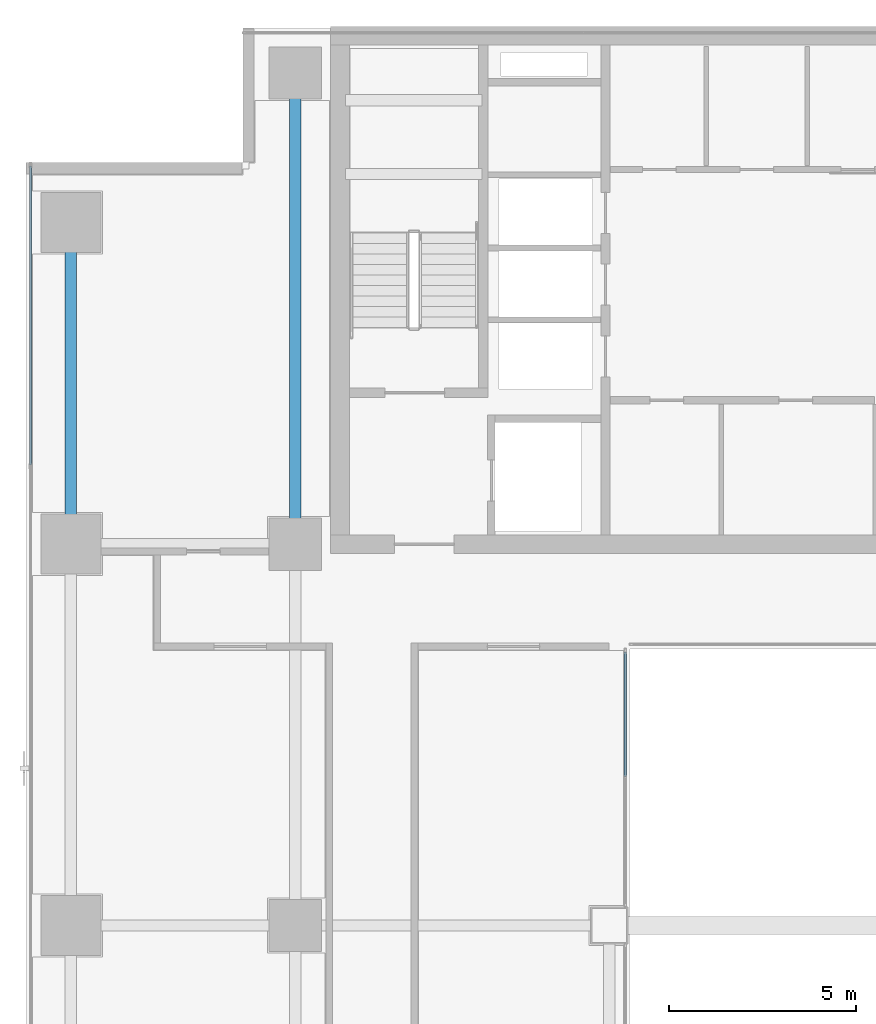
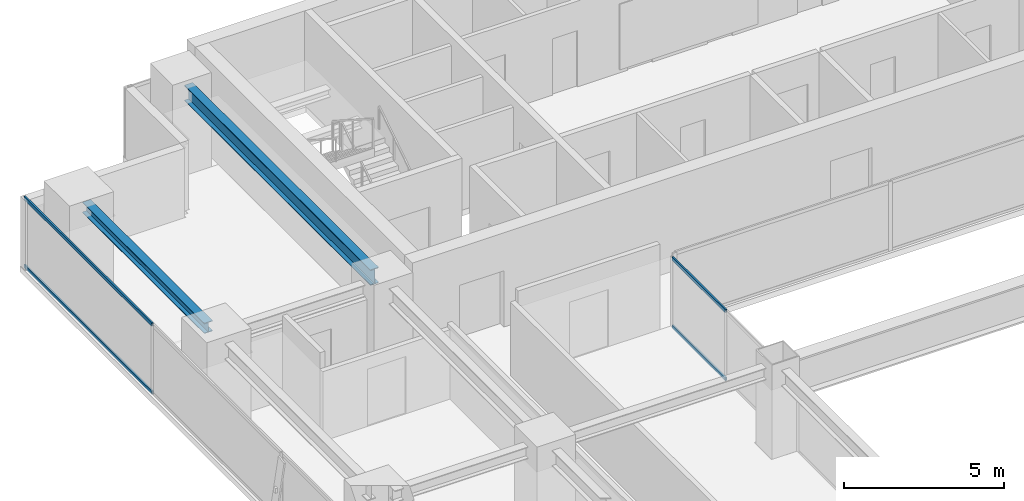
# One storey, part 11 of 32: 4 members, 2 beams, 2 elements without a shape of their own.
"""IFC4 building model written with IfcOpenShell, lengths in metres."""

from ifc_helpers import new_model, si_unit, direction, frame, origin, origin_2d, place, context, subcontext, project, spatial, hollow_rectangle, i_section, extrude, source, transform, mapped, material, layer, layer_set, material_profile, profile_set, type_object, element, aggregate, save


model = new_model("IFC4")

# Units and contexts
model_context = context("Model", 3, precision=1e-05, world=origin(), true_north=direction((0.0, 1.0)))
body_context = subcontext(model_context, "Body", "Model", "MODEL_VIEW")
ifc_project = project(units=[si_unit("LENGTHUNIT", "METRE"), si_unit("AREAUNIT", "SQUARE_METRE"), si_unit("VOLUMEUNIT", "CUBIC_METRE"), si_unit("PLANEANGLEUNIT", "RADIAN"), si_unit("MASSUNIT", "GRAM", prefix="KILO")], contexts=[model_context])

# Site, building, storey
site_placement = place(None, origin())
site = spatial("IfcSite", under=ifc_project, at=site_placement, CompositionType="ELEMENT")
building_placement = place(site_placement, origin())
building = spatial("IfcBuilding", under=site, at=building_placement, Name="Sumidabori Civic Tower", CompositionType="ELEMENT")
storey_placement = place(building_placement, frame((0.0, 0.0, 225.199951171875)))
storey = spatial("IfcBuildingStorey", under=building, at=storey_placement, Name="L58", CompositionType="ELEMENT", Elevation=225.199951171875)

# Beams
ifc_material_1 = material(Name="Steel SN490", Category="steel")
ifc_material_profile_1 = material_profile(ifc_material_1, i_section(OverallWidth=0.300048828125, OverallDepth=0.39990234375, WebThickness=0.013427734375, FlangeThickness=0.02392578125, at=origin_2d()), Name="HE 400 B")
ifc_profile_set_1 = profile_set([ifc_material_profile_1], Name="Steel SN490")
beam_type_1 = type_object("IfcBeamType", Name="BM-GIRD-400", PredefinedType="BEAM", material=ifc_profile_set_1)
shared_shape_1 = source(origin(), body_context, "Body", "SweptSolid", [
    extrude(i_section(OverallWidth=0.300048828125, OverallDepth=0.39990234375, WebThickness=0.013427734375, FlangeThickness=0.02392578125, at=origin_2d()), origin(), (0.0, 0.0, 1.0), 7.64013671875),
])
beam_1_placement = place(storey_placement, frame((-22.800048828125, 10.679931640625, 3.14013671875), z_axis=(0.0, 1.0, 0.0), x_axis=(-1.0, 0.0, 0.0)))
element("IfcBeam", 1, at=beam_1_placement, inside=storey, type_object=beam_type_1, Name="Primary Girder L58 GY-13", PredefinedType="BEAM", context=body_context, shape_type="MappedRepresentation", body=[
    mapped(shared_shape_1, transform((0.0, 0.0, 0.0), x_axis=(1.0, 0.0, 0.0), y_axis=(0.0, 1.0, 0.0), z_axis=(0.0, 0.0, 1.0), scale=1.0)),
])
ifc_material_profile_2 = material_profile(ifc_material_1, i_section(OverallWidth=0.300048828125, OverallDepth=0.60009765625, WebThickness=0.015380859375, FlangeThickness=0.030029296875, at=origin_2d()), Name="HE 600 B")
ifc_profile_set_2 = profile_set([ifc_material_profile_2], Name="Steel SN490")
beam_type_2 = type_object("IfcBeamType", Name="BM-GIRD-600", PredefinedType="BEAM", material=ifc_profile_set_2)
shared_shape_2 = source(origin(), body_context, "Body", "SweptSolid", [
    extrude(i_section(OverallWidth=0.300048828125, OverallDepth=0.60009765625, WebThickness=0.015380859375, FlangeThickness=0.030029296875, at=origin_2d()), origin(), (0.0, 0.0, 1.0), 11.64013671875),
])
beam_2_placement = place(storey_placement, frame((-16.800048828125, 10.679931640625, 2.97998046875), z_axis=(0.0, 1.0, 0.0), x_axis=(-1.0, 0.0, 0.0)))
element("IfcBeam", 2, at=beam_2_placement, inside=storey, type_object=beam_type_2, Name="Primary Girder L58 GY-16", PredefinedType="BEAM", context=body_context, shape_type="MappedRepresentation", body=[
    mapped(shared_shape_2, transform((0.0, 0.0, 0.0), x_axis=(1.0, 0.0, 0.0), y_axis=(0.0, 1.0, 0.0), z_axis=(0.0, 0.0, 1.0), scale=1.0)),
])

# Curtain wall, members
ifc_material_2 = material(Name="Anodised Bronze Aluminium AW-6063-T6", Category="aluminium")
ifc_layer_1 = layer(ifc_material_2, 0.179931640625, Name="Anodised Bronze Aluminium AW-6063-T6")
ifc_layer_set_1 = layer_set([ifc_layer_1], Name="Anodised Bronze Aluminium AW-6063-T6")
curtain_wall_type_1 = type_object("IfcCurtainWallType", Name="CW-SYS-4", PredefinedType="NOTDEFINED", material=ifc_layer_set_1)
curtain_wall_1_placement = place(storey_placement, origin())
curtain_wall_1 = element("IfcCurtainWall", 3, at=curtain_wall_1_placement, inside=storey, type_object=curtain_wall_type_1, Name="Curtain Wall CW:L58:R04", PredefinedType="NOTDEFINED")
ifc_material_profile_3 = material_profile(ifc_material_2, hollow_rectangle(XDim=0.06005859375, YDim=0.1298828125, WallThickness=0.0048828125, at=origin_2d()), Name="ALU TRANSOM 130x60")
ifc_profile_set_3 = profile_set([ifc_material_profile_3], Name="Anodised Bronze Aluminium AW-6063-T6")
member_type = type_object("IfcMemberType", Name="CW-TRN-130", PredefinedType="USERDEFINED", material=ifc_profile_set_3)
shared_shape_3 = source(origin(), body_context, "Body", "SweptSolid", [
    extrude(hollow_rectangle(XDim=0.06005859375, YDim=0.1298828125, WallThickness=0.0048828125, at=origin_2d()), origin(), (0.0, 0.0, 1.0), 3.330078125),
])
member_1_placement = place(storey_placement, frame((-7.969970703125, 3.97998046875, 0.030029296875), z_axis=(0.0, 1.0, 0.0), x_axis=(-1.0, 0.0, 0.0)))
member_1 = element("IfcMember", 4, at=member_1_placement, type_object=member_type, Name="CW-4 transom 2.1", ObjectType="TRANSOM", PredefinedType="USERDEFINED", context=body_context, shape_type="MappedRepresentation", body=[
    mapped(shared_shape_3, transform((0.0, 0.0, 0.0), x_axis=(1.0, 0.0, 0.0), y_axis=(0.0, 1.0, 0.0), z_axis=(0.0, 0.0, 1.0), scale=1.0)),
])
member_2_placement = place(storey_placement, frame((-7.969970703125, 3.97998046875, 2.630126953125), z_axis=(0.0, 1.0, 0.0), x_axis=(-1.0, 0.0, 0.0)))
member_2 = element("IfcMember", 5, at=member_2_placement, type_object=member_type, Name="CW-4 transom 2.2", ObjectType="TRANSOM", PredefinedType="USERDEFINED", context=body_context, shape_type="MappedRepresentation", body=[
    mapped(shared_shape_3, transform((0.0, 0.0, 0.0), x_axis=(1.0, 0.0, 0.0), y_axis=(0.0, 1.0, 0.0), z_axis=(0.0, 0.0, 1.0), scale=1.0)),
])
aggregate(curtain_wall_1, [member_1, member_2])

ifc_layer_2 = layer(ifc_material_2, 0.179931640625, Name="Anodised Bronze Aluminium AW-6063-T6")
ifc_layer_set_2 = layer_set([ifc_layer_2], Name="Anodised Bronze Aluminium AW-6063-T6")
curtain_wall_type_2 = type_object("IfcCurtainWallType", Name="CW-SYS-5", PredefinedType="NOTDEFINED", material=ifc_layer_set_2)
curtain_wall_2_placement = place(storey_placement, origin())
curtain_wall_2 = element("IfcCurtainWall", 6, at=curtain_wall_2_placement, inside=storey, type_object=curtain_wall_type_2, Name="Curtain Wall CW:L58:R17", PredefinedType="NOTDEFINED")
shared_shape_4 = source(origin(), body_context, "Body", "SweptSolid", [
    extrude(hollow_rectangle(XDim=0.06005859375, YDim=0.1298828125, WallThickness=0.0048828125, at=origin_2d()), origin(), (0.0, 0.0, 1.0), 7.9951171875),
])
member_3_placement = place(storey_placement, frame((-23.8798828125, 20.31005859375, 0.030029296875), z_axis=(0.0, -1.0, 0.0), x_axis=(1.0, 0.0, 0.0)))
member_3 = element("IfcMember", 7, at=member_3_placement, type_object=member_type, Name="CW-5 transom 1.1", ObjectType="TRANSOM", PredefinedType="USERDEFINED", context=body_context, shape_type="MappedRepresentation", body=[
    mapped(shared_shape_4, transform((0.0, 0.0, 0.0), x_axis=(1.0, 0.0, 0.0), y_axis=(0.0, 1.0, 0.0), z_axis=(0.0, 0.0, 1.0), scale=1.0)),
])
member_4_placement = place(storey_placement, frame((-23.8798828125, 20.31005859375, 2.630126953125), z_axis=(0.0, -1.0, 0.0), x_axis=(1.0, 0.0, 0.0)))
member_4 = element("IfcMember", 8, at=member_4_placement, type_object=member_type, Name="CW-5 transom 1.2", ObjectType="TRANSOM", PredefinedType="USERDEFINED", context=body_context, shape_type="MappedRepresentation", body=[
    mapped(shared_shape_4, transform((0.0, 0.0, 0.0), x_axis=(1.0, 0.0, 0.0), y_axis=(0.0, 1.0, 0.0), z_axis=(0.0, 0.0, 1.0), scale=1.0)),
])
aggregate(curtain_wall_2, [member_3, member_4])

save(model, "model.ifc")
